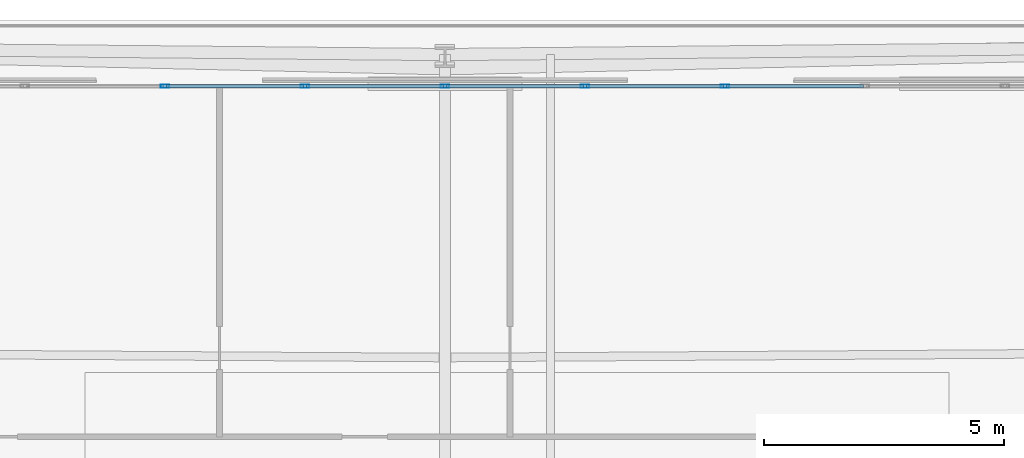
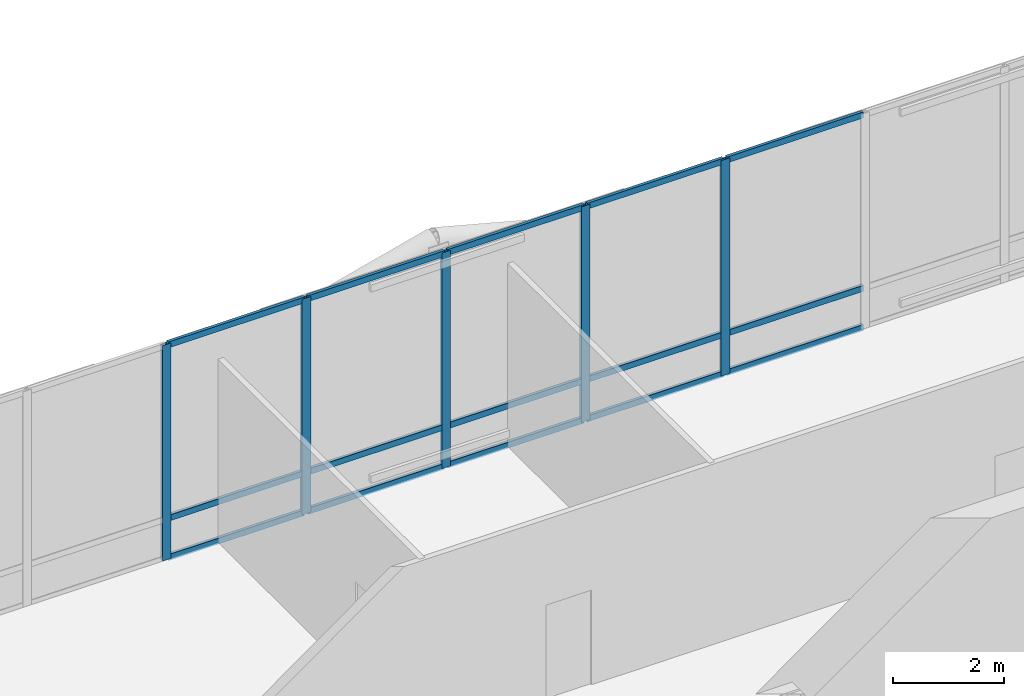
# One storey, part 22 of 34: 20 members, 1 element without a shape of its own.
"""IFC4 building model written with IfcOpenShell, lengths in metres."""

from ifc_helpers import new_model, si_unit, direction, frame, origin, origin_2d, place, context, subcontext, project, spatial, hollow_rectangle, extrude, material, layer, layer_set, material_profile, profile_set, type_object, element, aggregate, save


model = new_model("IFC4")

# Units and contexts
model_context = context("Model", 3, precision=1e-05, world=origin(), true_north=direction((0.0, 1.0)))
body_context = subcontext(model_context, "Body", "Model", "MODEL_VIEW")
ifc_project = project(units=[si_unit("LENGTHUNIT", "METRE"), si_unit("AREAUNIT", "SQUARE_METRE"), si_unit("VOLUMEUNIT", "CUBIC_METRE"), si_unit("PLANEANGLEUNIT", "RADIAN"), si_unit("MASSUNIT", "GRAM", prefix="KILO")], contexts=[model_context])

# Site, building, storey
site_placement = place(None, origin())
site = spatial("IfcSite", under=ifc_project, at=site_placement, CompositionType="ELEMENT")
building_placement = place(site_placement, origin())
building = spatial("IfcBuilding", under=site, at=building_placement, Name="Caelvoria Tower", CompositionType="ELEMENT")
storey_placement = place(building_placement, frame((0.0, 0.0, 172.0)))
storey = spatial("IfcBuildingStorey", under=building, at=storey_placement, Name="L45", CompositionType="ELEMENT", Elevation=172.0)

# Curtain wall, members
ifc_material_1 = material(Name="Anodised Bronze Aluminium and Low-E Glass", Category="aluminium")
ifc_layer = layer(ifc_material_1, 0.2099609375, Name="Anodised Bronze Aluminium and Low-E Glass")
ifc_layer_set = layer_set([ifc_layer], Name="CW System 3 Sky Lobby Double-Height Acoustic Facade - Anodised Bronze Aluminium and Low-E Glass")
curtain_wall_type = type_object("IfcCurtainWallType", Name="CW System 3 Sky Lobby Double-Height Acoustic Facade", PredefinedType="NOTDEFINED", material=ifc_layer_set)
curtain_wall_placement = place(storey_placement, origin())
curtain_wall = element("IfcCurtainWall", 1, at=curtain_wall_placement, inside=storey, type_object=curtain_wall_type, Name="CW-03 Curtain Wall L45-E4", PredefinedType="NOTDEFINED")
ifc_material_2 = material(Name="Anodised Bronze Architectural Aluminium", Category="aluminium")
ifc_material_profile_1 = material_profile(ifc_material_2, hollow_rectangle(XDim=0.070068359375, YDim=0.179931640625, WallThickness=0.00390625, at=origin_2d()), Name="Anodised Bronze Architectural Aluminium")
ifc_profile_set_1 = profile_set([ifc_material_profile_1], Name="CW_MULL_70X180 - Anodised Bronze Architectural Aluminium")
member_type_1 = type_object("IfcMemberType", Name="Curtain Wall Mullion 70x180 Bronze Aluminium", PredefinedType="MULLION", material=ifc_profile_set_1)
member_1_placement = place(storey_placement, frame((51.833251953125, 51.9599609375, 0.0), z_axis=(0.0, 0.0, 1.0), x_axis=(0.0, -1.0, 0.0)))
member_1 = element("IfcMember", 2, at=member_1_placement, type_object=member_type_1, Name="CW-03 mullion 5", PredefinedType="MULLION", context=body_context, shape_type="SweptSolid", body=[
    extrude(hollow_rectangle(XDim=0.070068359375, YDim=0.179931640625, WallThickness=0.00390625, at=origin_2d()), origin(), (0.0, 0.0, 1.0), 4.760009765625),
])
member_2_placement = place(storey_placement, frame((48.916748046875, 51.9599609375, 0.0), z_axis=(0.0, 0.0, 1.0), x_axis=(0.0, -1.0, 0.0)))
member_2 = element("IfcMember", 3, at=member_2_placement, type_object=member_type_1, Name="CW-03 mullion 6", PredefinedType="MULLION", context=body_context, shape_type="SweptSolid", body=[
    extrude(hollow_rectangle(XDim=0.070068359375, YDim=0.179931640625, WallThickness=0.00390625, at=origin_2d()), origin(), (0.0, 0.0, 1.0), 4.760009765625),
])
member_3_placement = place(storey_placement, frame((46.0, 51.9599609375, 0.0), z_axis=(0.0, 0.0, 1.0), x_axis=(0.0, -1.0, 0.0)))
member_3 = element("IfcMember", 4, at=member_3_placement, type_object=member_type_1, Name="CW-03 mullion 7", PredefinedType="MULLION", context=body_context, shape_type="SweptSolid", body=[
    extrude(hollow_rectangle(XDim=0.070068359375, YDim=0.179931640625, WallThickness=0.00390625, at=origin_2d()), origin(), (0.0, 0.0, 1.0), 4.760009765625),
])
member_4_placement = place(storey_placement, frame((43.083251953125, 51.9599609375, 0.0), z_axis=(0.0, 0.0, 1.0), x_axis=(0.0, -1.0, 0.0)))
member_4 = element("IfcMember", 5, at=member_4_placement, type_object=member_type_1, Name="CW-03 mullion 8", PredefinedType="MULLION", context=body_context, shape_type="SweptSolid", body=[
    extrude(hollow_rectangle(XDim=0.070068359375, YDim=0.179931640625, WallThickness=0.00390625, at=origin_2d()), origin(), (0.0, 0.0, 1.0), 4.760009765625),
])
member_5_placement = place(storey_placement, frame((40.166748046875, 51.9599609375, 0.0), z_axis=(0.0, 0.0, 1.0), x_axis=(0.0, -1.0, 0.0)))
member_5 = element("IfcMember", 6, at=member_5_placement, type_object=member_type_1, Name="CW-03 mullion 9", PredefinedType="MULLION", context=body_context, shape_type="SweptSolid", body=[
    extrude(hollow_rectangle(XDim=0.070068359375, YDim=0.179931640625, WallThickness=0.00390625, at=origin_2d()), origin(), (0.0, 0.0, 1.0), 4.760009765625),
])
ifc_material_profile_2 = material_profile(ifc_material_2, hollow_rectangle(XDim=0.06494140625, YDim=0.1298828125, WallThickness=0.00341796875, at=origin_2d()), Name="Anodised Bronze Architectural Aluminium")
ifc_profile_set_2 = profile_set([ifc_material_profile_2], Name="CW_TRAN_65X130 - Anodised Bronze Architectural Aluminium")
member_type_2 = type_object("IfcMemberType", Name="Curtain Wall Transom 65x130 Bronze Aluminium", PredefinedType="USERDEFINED", material=ifc_profile_set_2)
member_6_placement = place(storey_placement, frame((54.715087890625, 51.9599609375, 0.032470703125), z_axis=(-1.0, 0.0, 0.0), x_axis=(0.0, -1.0, 0.0)))
member_6 = element("IfcMember", 7, at=member_6_placement, type_object=member_type_2, Name="CW-03 transom 4.1", ObjectType="TRANSOM", PredefinedType="USERDEFINED", context=body_context, shape_type="SweptSolid", body=[
    extrude(hollow_rectangle(XDim=0.06494140625, YDim=0.1298828125, WallThickness=0.00341796875, at=origin_2d()), origin(), (0.0, 0.0, 1.0), 2.8466796875),
])
member_7_placement = place(storey_placement, frame((54.715087890625, 51.9599609375, 0.89990234375), z_axis=(-1.0, 0.0, 0.0), x_axis=(0.0, -1.0, 0.0)))
member_7 = element("IfcMember", 8, at=member_7_placement, type_object=member_type_2, Name="CW-03 transom 4.2", ObjectType="TRANSOM", PredefinedType="USERDEFINED", context=body_context, shape_type="SweptSolid", body=[
    extrude(hollow_rectangle(XDim=0.06494140625, YDim=0.1298828125, WallThickness=0.00341796875, at=origin_2d()), origin(), (0.0, 0.0, 1.0), 2.8466796875),
])
member_8_placement = place(storey_placement, frame((54.715087890625, 51.9599609375, 4.7275390625), z_axis=(-1.0, 0.0, 0.0), x_axis=(0.0, -1.0, 0.0)))
member_8 = element("IfcMember", 9, at=member_8_placement, type_object=member_type_2, Name="CW-03 transom 4.3", ObjectType="TRANSOM", PredefinedType="USERDEFINED", context=body_context, shape_type="SweptSolid", body=[
    extrude(hollow_rectangle(XDim=0.06494140625, YDim=0.1298828125, WallThickness=0.00341796875, at=origin_2d()), origin(), (0.0, 0.0, 1.0), 2.8466796875),
])
member_9_placement = place(storey_placement, frame((51.79833984375, 51.9599609375, 0.032470703125), z_axis=(-1.0, 0.0, 0.0), x_axis=(0.0, -1.0, 0.0)))
member_9 = element("IfcMember", 10, at=member_9_placement, type_object=member_type_2, Name="CW-03 transom 5.1", ObjectType="TRANSOM", PredefinedType="USERDEFINED", context=body_context, shape_type="SweptSolid", body=[
    extrude(hollow_rectangle(XDim=0.06494140625, YDim=0.1298828125, WallThickness=0.00341796875, at=origin_2d()), origin(), (0.0, 0.0, 1.0), 2.8466796875),
])
member_10_placement = place(storey_placement, frame((51.79833984375, 51.9599609375, 0.89990234375), z_axis=(-1.0, 0.0, 0.0), x_axis=(0.0, -1.0, 0.0)))
member_10 = element("IfcMember", 11, at=member_10_placement, type_object=member_type_2, Name="CW-03 transom 5.2", ObjectType="TRANSOM", PredefinedType="USERDEFINED", context=body_context, shape_type="SweptSolid", body=[
    extrude(hollow_rectangle(XDim=0.06494140625, YDim=0.1298828125, WallThickness=0.00341796875, at=origin_2d()), origin(), (0.0, 0.0, 1.0), 2.8466796875),
])
member_11_placement = place(storey_placement, frame((51.79833984375, 51.9599609375, 4.7275390625), z_axis=(-1.0, 0.0, 0.0), x_axis=(0.0, -1.0, 0.0)))
member_11 = element("IfcMember", 12, at=member_11_placement, type_object=member_type_2, Name="CW-03 transom 5.3", ObjectType="TRANSOM", PredefinedType="USERDEFINED", context=body_context, shape_type="SweptSolid", body=[
    extrude(hollow_rectangle(XDim=0.06494140625, YDim=0.1298828125, WallThickness=0.00341796875, at=origin_2d()), origin(), (0.0, 0.0, 1.0), 2.8466796875),
])
member_12_placement = place(storey_placement, frame((48.881591796875, 51.9599609375, 0.032470703125), z_axis=(-1.0, 0.0, 0.0), x_axis=(0.0, -1.0, 0.0)))
member_12 = element("IfcMember", 13, at=member_12_placement, type_object=member_type_2, Name="CW-03 transom 6.1", ObjectType="TRANSOM", PredefinedType="USERDEFINED", context=body_context, shape_type="SweptSolid", body=[
    extrude(hollow_rectangle(XDim=0.06494140625, YDim=0.1298828125, WallThickness=0.00341796875, at=origin_2d()), origin(), (0.0, 0.0, 1.0), 2.8466796875),
])
member_13_placement = place(storey_placement, frame((48.881591796875, 51.9599609375, 0.89990234375), z_axis=(-1.0, 0.0, 0.0), x_axis=(0.0, -1.0, 0.0)))
member_13 = element("IfcMember", 14, at=member_13_placement, type_object=member_type_2, Name="CW-03 transom 6.2", ObjectType="TRANSOM", PredefinedType="USERDEFINED", context=body_context, shape_type="SweptSolid", body=[
    extrude(hollow_rectangle(XDim=0.06494140625, YDim=0.1298828125, WallThickness=0.00341796875, at=origin_2d()), origin(), (0.0, 0.0, 1.0), 2.8466796875),
])
member_14_placement = place(storey_placement, frame((48.881591796875, 51.9599609375, 4.7275390625), z_axis=(-1.0, 0.0, 0.0), x_axis=(0.0, -1.0, 0.0)))
member_14 = element("IfcMember", 15, at=member_14_placement, type_object=member_type_2, Name="CW-03 transom 6.3", ObjectType="TRANSOM", PredefinedType="USERDEFINED", context=body_context, shape_type="SweptSolid", body=[
    extrude(hollow_rectangle(XDim=0.06494140625, YDim=0.1298828125, WallThickness=0.00341796875, at=origin_2d()), origin(), (0.0, 0.0, 1.0), 2.8466796875),
])
member_15_placement = place(storey_placement, frame((45.965087890625, 51.9599609375, 0.032470703125), z_axis=(-1.0, 0.0, 0.0), x_axis=(0.0, -1.0, 0.0)))
member_15 = element("IfcMember", 16, at=member_15_placement, type_object=member_type_2, Name="CW-03 transom 7.1", ObjectType="TRANSOM", PredefinedType="USERDEFINED", context=body_context, shape_type="SweptSolid", body=[
    extrude(hollow_rectangle(XDim=0.06494140625, YDim=0.1298828125, WallThickness=0.00341796875, at=origin_2d()), origin(), (0.0, 0.0, 1.0), 2.8466796875),
])
member_16_placement = place(storey_placement, frame((45.965087890625, 51.9599609375, 0.89990234375), z_axis=(-1.0, 0.0, 0.0), x_axis=(0.0, -1.0, 0.0)))
member_16 = element("IfcMember", 17, at=member_16_placement, type_object=member_type_2, Name="CW-03 transom 7.2", ObjectType="TRANSOM", PredefinedType="USERDEFINED", context=body_context, shape_type="SweptSolid", body=[
    extrude(hollow_rectangle(XDim=0.06494140625, YDim=0.1298828125, WallThickness=0.00341796875, at=origin_2d()), origin(), (0.0, 0.0, 1.0), 2.8466796875),
])
member_17_placement = place(storey_placement, frame((45.965087890625, 51.9599609375, 4.7275390625), z_axis=(-1.0, 0.0, 0.0), x_axis=(0.0, -1.0, 0.0)))
member_17 = element("IfcMember", 18, at=member_17_placement, type_object=member_type_2, Name="CW-03 transom 7.3", ObjectType="TRANSOM", PredefinedType="USERDEFINED", context=body_context, shape_type="SweptSolid", body=[
    extrude(hollow_rectangle(XDim=0.06494140625, YDim=0.1298828125, WallThickness=0.00341796875, at=origin_2d()), origin(), (0.0, 0.0, 1.0), 2.8466796875),
])
member_18_placement = place(storey_placement, frame((43.04833984375, 51.9599609375, 0.032470703125), z_axis=(-1.0, 0.0, 0.0), x_axis=(0.0, -1.0, 0.0)))
member_18 = element("IfcMember", 19, at=member_18_placement, type_object=member_type_2, Name="CW-03 transom 8.1", ObjectType="TRANSOM", PredefinedType="USERDEFINED", context=body_context, shape_type="SweptSolid", body=[
    extrude(hollow_rectangle(XDim=0.06494140625, YDim=0.1298828125, WallThickness=0.00341796875, at=origin_2d()), origin(), (0.0, 0.0, 1.0), 2.8466796875),
])
member_19_placement = place(storey_placement, frame((43.04833984375, 51.9599609375, 0.89990234375), z_axis=(-1.0, 0.0, 0.0), x_axis=(0.0, -1.0, 0.0)))
member_19 = element("IfcMember", 20, at=member_19_placement, type_object=member_type_2, Name="CW-03 transom 8.2", ObjectType="TRANSOM", PredefinedType="USERDEFINED", context=body_context, shape_type="SweptSolid", body=[
    extrude(hollow_rectangle(XDim=0.06494140625, YDim=0.1298828125, WallThickness=0.00341796875, at=origin_2d()), origin(), (0.0, 0.0, 1.0), 2.8466796875),
])
member_20_placement = place(storey_placement, frame((43.04833984375, 51.9599609375, 4.7275390625), z_axis=(-1.0, 0.0, 0.0), x_axis=(0.0, -1.0, 0.0)))
member_20 = element("IfcMember", 21, at=member_20_placement, type_object=member_type_2, Name="CW-03 transom 8.3", ObjectType="TRANSOM", PredefinedType="USERDEFINED", context=body_context, shape_type="SweptSolid", body=[
    extrude(hollow_rectangle(XDim=0.06494140625, YDim=0.1298828125, WallThickness=0.00341796875, at=origin_2d()), origin(), (0.0, 0.0, 1.0), 2.8466796875),
])
aggregate(curtain_wall, [member_1, member_2, member_3, member_4, member_5, member_6, member_7, member_8, member_9, member_10, member_11, member_12, member_13, member_14, member_15, member_16, member_17, member_18, member_19, member_20])

save(model, "model.ifc")
